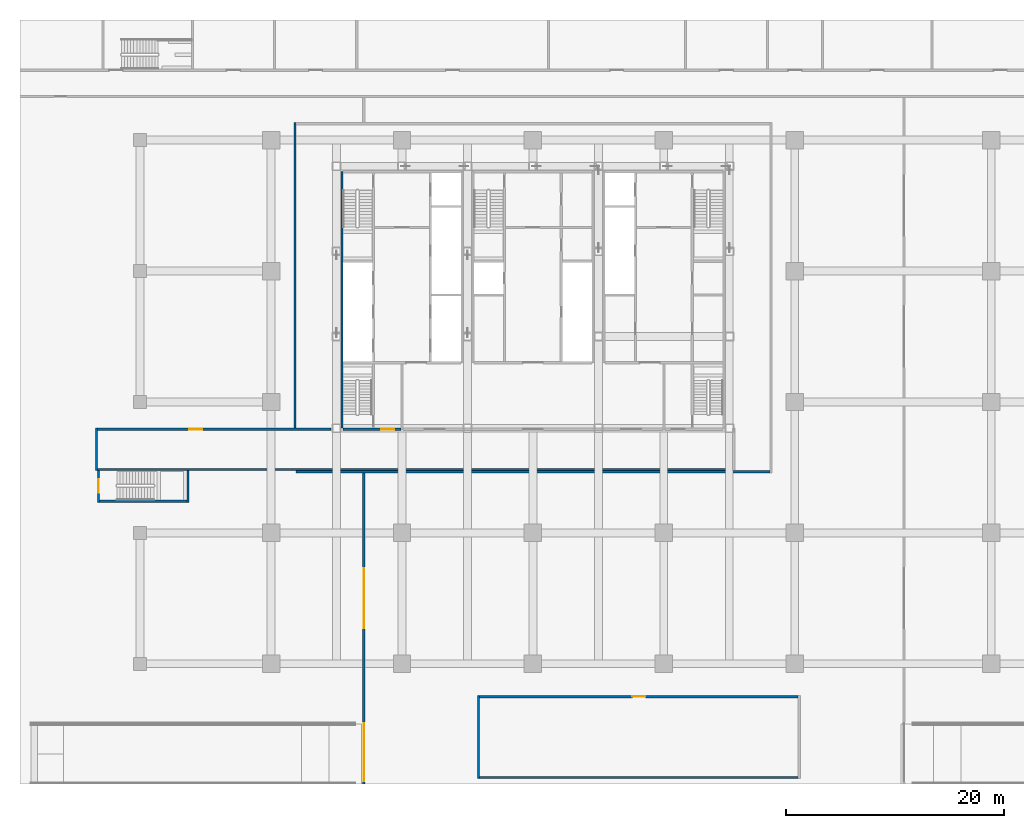
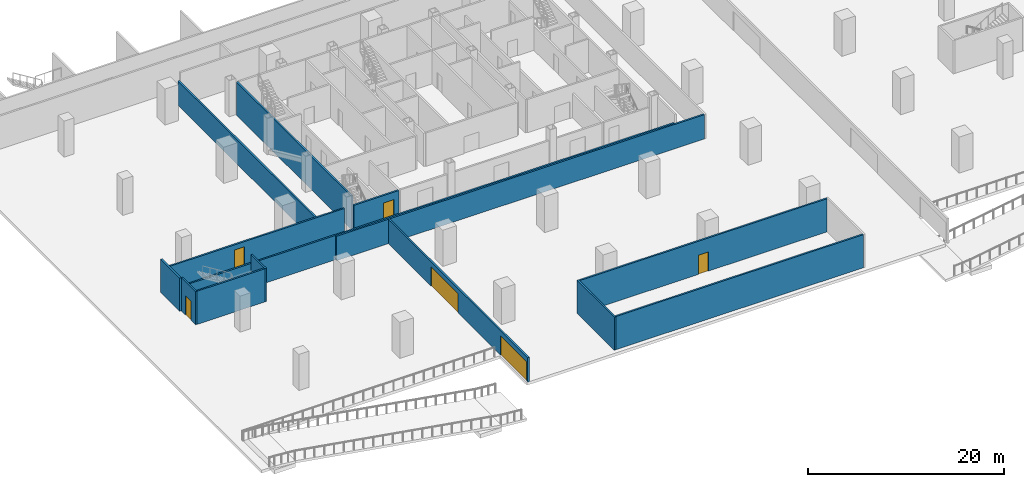
# One storey, part 3 of 15: 14 walls, 6 doors, 6 openings.
"""IFC4 building model written with IfcOpenShell, lengths in metres."""

from ifc_helpers import new_model, si_unit, direction, frame, frame_2d, origin, place, context, subcontext, project, spatial, rectangle, extrude, material, layer, layer_set, type_object, element, fill, save


model = new_model("IFC4")

# Units and contexts
model_context = context("Model", 3, precision=1e-05, world=origin(), true_north=direction((0.0, 1.0)))
body_context = subcontext(model_context, "Body", "Model", "MODEL_VIEW")
ifc_project = project(units=[si_unit("LENGTHUNIT", "METRE"), si_unit("AREAUNIT", "SQUARE_METRE"), si_unit("VOLUMEUNIT", "CUBIC_METRE"), si_unit("PLANEANGLEUNIT", "RADIAN"), si_unit("MASSUNIT", "GRAM", prefix="KILO")], contexts=[model_context])

# Site, building, storey
site_placement = place(None, origin())
site = spatial("IfcSite", under=ifc_project, at=site_placement, CompositionType="ELEMENT")
building_placement = place(site_placement, origin())
building = spatial("IfcBuilding", under=site, at=building_placement, Name="Sorahane Residences", CompositionType="ELEMENT")
storey_placement = place(building_placement, frame((0.0, 0.0, -4.5)))
storey = spatial("IfcBuildingStorey", under=building, at=storey_placement, Name="B1", CompositionType="ELEMENT", Elevation=-4.5)

# Walls
ifc_material_1 = material(Name="Concrete C30", Category="concrete")
ifc_layer_1 = layer(ifc_material_1, 0.199951171875)
ifc_layer_set_1 = layer_set([ifc_layer_1], Name="Core face wall 200 EI 180")
wall_type_1 = type_object("IfcWallType", Name="Core face wall 200 EI 180", PredefinedType="SOLIDWALL", material=ifc_layer_set_1)
wall_1_placement = place(storey_placement, frame((6.5, 21.60009765625, 0.0), z_axis=(0.0, 0.0, 1.0), x_axis=(0.0, 1.0, 0.0)))
element("IfcWall", 1, at=wall_1_placement, inside=storey, type_object=wall_type_1, Name="B1 core face wall", PredefinedType="SOLIDWALL", context=body_context, shape_type="SweptSolid", body=[
    extrude(rectangle(XDim=23.5, YDim=0.199951171875, at=frame_2d((11.75, 0.0))), origin(), (0.0, 0.0, 1.0), 4.139892578125),
])
ifc_material_2 = material(Name="Concrete blockwork C20 wall", Category="masonry")
ifc_layer_2 = layer(ifc_material_2, 0.199951171875)
ifc_layer_set_2 = layer_set([ifc_layer_2], Name="Fire wall 200 EI 120")
wall_type_2 = type_object("IfcWallType", Name="Fire wall 200 EI 120", PredefinedType="SOLIDWALL", material=ifc_layer_set_2)
wall_2_placement = place(storey_placement, frame((-16.0, 17.699951171875, 0.0), z_axis=(0.0, 0.0, 1.0), x_axis=(0.0, 1.0, 0.0)))
element("IfcWall", 2, at=wall_2_placement, inside=storey, type_object=wall_type_2, Name="B1 fire wall", PredefinedType="SOLIDWALL", context=body_context, shape_type="SweptSolid", body=[
    extrude(rectangle(XDim=3.900146484375, YDim=0.199951171875, at=frame_2d((1.9501953125, 0.0))), origin(), (0.0, 0.0, 1.0), 4.139892578125),
])

# Wall, opening, door
wall_3_placement = place(storey_placement, frame((-15.800048828125, 14.800048828125, 0.0), z_axis=(0.0, 0.0, 1.0), x_axis=(0.0, 1.0, 0.0)))
wall_3 = element("IfcWall", 3, at=wall_3_placement, inside=storey, type_object=wall_type_2, Name="B1 fire wall", PredefinedType="SOLIDWALL", context=body_context, shape_type="SweptSolid", body=[
    extrude(rectangle(XDim=2.89990234375, YDim=0.199951171875, at=frame_2d((1.449951171875, 0.0))), origin(), (0.0, 0.0, 1.0), 4.139892578125),
])
opening_1_placement = place(wall_3_placement, frame((0.89990234375, 0.0, 0.0)))
opening_1 = element("IfcOpeningElement", 4, at=opening_1_placement, cuts=wall_3, Name="Opening B1-11", PredefinedType="OPENING", context=body_context, shape_type="SweptSolid", body=[
    extrude(rectangle(XDim=1.199951171875, YDim=2.39990234375, at=frame_2d((0.60009765625, 1.199951171875))), frame((0.0, 0.10986328125, 0.0), z_axis=(0.0, -1.0, 0.0), x_axis=(1.0, 0.0, 0.0)), (0.0, 0.0, 1.0), 0.219970703125),
])
ifc_material_3 = material(Name="Steel", Category="steel")
door_type_1 = type_object("IfcDoorType", Name="Stair door 1200x2400 FD60", OperationType="NOTDEFINED", PredefinedType="DOOR", material=ifc_material_3)
door_1_placement = place(opening_1_placement, origin())
door_1 = element("IfcDoor", 5, at=door_1_placement, inside=storey, type_object=door_type_1, Name="Stair door B1-11", OperationType="SINGLE_SWING_LEFT", OverallHeight=2.39990234375, OverallWidth=1.199951171875, PredefinedType="DOOR", context=body_context, shape_type="SweptSolid", body=[
    extrude(rectangle(XDim=1.199951171875, YDim=2.39990234375, at=frame_2d((0.60009765625, 1.199951171875))), frame((0.0, 0.02490234375, 0.0), z_axis=(0.0, -1.0, 0.0), x_axis=(1.0, 0.0, 0.0)), (0.0, 0.0, 1.0), 0.050048828125),
])
fill(opening_1, door_1)

# Walls
wall_4_placement = place(storey_placement, frame((-7.60009765625, 14.800048828125, 0.0), z_axis=(0.0, 0.0, 1.0), x_axis=(0.0, 1.0, 0.0)))
element("IfcWall", 6, at=wall_4_placement, inside=storey, type_object=wall_type_2, Name="B1 fire wall", PredefinedType="SOLIDWALL", context=body_context, shape_type="SweptSolid", body=[
    extrude(rectangle(XDim=2.89990234375, YDim=0.199951171875, at=frame_2d((1.449951171875, 0.0))), origin(), (0.0, 0.0, 1.0), 4.139892578125),
])
wall_5_placement = place(storey_placement, frame((2.199951171875, 21.60009765625, 0.0), z_axis=(0.0, 0.0, 1.0), x_axis=(0.0, 1.0, 0.0)))
element("IfcWall", 7, at=wall_5_placement, inside=storey, type_object=wall_type_2, Name="B1 fire wall", PredefinedType="SOLIDWALL", context=body_context, shape_type="SweptSolid", body=[
    extrude(rectangle(XDim=28.0, YDim=0.199951171875, at=frame_2d((14.0, 0.0))), origin(), (0.0, 0.0, 1.0), 3.0400390625),
])

# Wall, openings, doors
wall_6_placement = place(storey_placement, frame((8.5, -11.0, 0.0), z_axis=(0.0, 0.0, 1.0), x_axis=(0.0, 1.0, 0.0)))
wall_6 = element("IfcWall", 8, at=wall_6_placement, inside=storey, type_object=wall_type_2, Name="B1 fire wall", PredefinedType="SOLIDWALL", context=body_context, shape_type="SweptSolid", body=[
    extrude(rectangle(XDim=28.5, YDim=0.199951171875, at=frame_2d((14.25, 0.0))), origin(), (0.0, 0.0, 1.0), 3.0400390625),
])
opening_2_placement = place(wall_6_placement, frame((0.25, 0.0, 0.0)))
opening_2 = element("IfcOpeningElement", 9, at=opening_2_placement, cuts=wall_6, Name="Opening B1-17", PredefinedType="OPENING", context=body_context, shape_type="SweptSolid", body=[
    extrude(rectangle(XDim=5.300048828125, YDim=2.39990234375, at=frame_2d((2.64990234375, 1.199951171875))), frame((0.0, 0.10986328125, 0.0), z_axis=(0.0, -1.0, 0.0), x_axis=(1.0, 0.0, 0.0)), (0.0, 0.0, 1.0), 0.219970703125),
])
opening_3_placement = place(wall_6_placement, frame((14.25, 0.0, 0.0)))
opening_3 = element("IfcOpeningElement", 10, at=opening_3_placement, cuts=wall_6, Name="Opening B1-18", PredefinedType="OPENING", context=body_context, shape_type="SweptSolid", body=[
    extrude(rectangle(XDim=5.5, YDim=2.39990234375, at=frame_2d((2.75, 1.199951171875))), frame((0.0, 0.10986328125, 0.0), z_axis=(0.0, -1.0, 0.0), x_axis=(1.0, 0.0, 0.0)), (0.0, 0.0, 1.0), 0.219970703125),
])
ifc_material_4 = material(Name="Steel", Category="steel")
door_type_2 = type_object("IfcDoorType", Name="Fire door 5300x2400 FD60", OperationType="NOTDEFINED", PredefinedType="DOOR", material=ifc_material_4)
door_2_placement = place(opening_2_placement, origin())
door_2 = element("IfcDoor", 11, at=door_2_placement, inside=storey, type_object=door_type_2, Name="Fire door B1-17", OperationType="SINGLE_SWING_LEFT", OverallHeight=2.39990234375, OverallWidth=5.300048828125, PredefinedType="DOOR", context=body_context, shape_type="SweptSolid", body=[
    extrude(rectangle(XDim=5.300048828125, YDim=2.39990234375, at=frame_2d((2.64990234375, 1.199951171875))), frame((0.0, 0.02490234375, 0.0), z_axis=(0.0, -1.0, 0.0), x_axis=(1.0, 0.0, 0.0)), (0.0, 0.0, 1.0), 0.050048828125),
])
fill(opening_2, door_2)
ifc_material_5 = material(Name="Steel", Category="steel")
door_type_3 = type_object("IfcDoorType", Name="Fire door 5500x2400 FD60", OperationType="NOTDEFINED", PredefinedType="DOOR", material=ifc_material_5)
door_3_placement = place(opening_3_placement, origin())
door_3 = element("IfcDoor", 12, at=door_3_placement, inside=storey, type_object=door_type_3, Name="Fire door B1-18", OperationType="SINGLE_SWING_RIGHT", OverallHeight=2.39990234375, OverallWidth=5.5, PredefinedType="DOOR", context=body_context, shape_type="SweptSolid", body=[
    extrude(rectangle(XDim=5.5, YDim=2.39990234375, at=frame_2d((2.75, 1.199951171875))), frame((0.0, 0.02490234375, 0.0), z_axis=(0.0, -1.0, 0.0), x_axis=(1.0, 0.0, 0.0)), (0.0, 0.0, 1.0), 0.050048828125),
])
fill(opening_3, door_3)

# Wall
wall_7_placement = place(storey_placement, frame((2.300048828125, 17.60009765625, 0.0), z_axis=(0.0, 0.0, 1.0), x_axis=(1.0, 0.0, 0.0)))
element("IfcWall", 13, at=wall_7_placement, inside=storey, type_object=wall_type_2, Name="B1 fire wall", PredefinedType="SOLIDWALL", context=body_context, shape_type="SweptSolid", body=[
    extrude(rectangle(XDim=43.39990234375, YDim=0.199951171875, at=frame_2d((21.699951171875, 0.0))), origin(), (0.0, 0.0, 1.0), 3.0400390625),
])

# Wall, opening, door
wall_8_placement = place(storey_placement, frame((-15.89990234375, 21.5, 0.0), z_axis=(0.0, 0.0, 1.0), x_axis=(1.0, 0.0, 0.0)))
wall_8 = element("IfcWall", 14, at=wall_8_placement, inside=storey, type_object=wall_type_2, Name="B1 fire wall", PredefinedType="SOLIDWALL", context=body_context, shape_type="SweptSolid", body=[
    extrude(rectangle(XDim=21.39990234375, YDim=0.199951171875, at=frame_2d((10.699951171875, 0.0))), origin(), (0.0, 0.0, 1.0), 3.0400390625),
])
opening_4_placement = place(wall_8_placement, frame((8.39990234375, 0.0, 0.0)))
opening_4 = element("IfcOpeningElement", 15, at=opening_4_placement, cuts=wall_8, Name="Opening B1-13", PredefinedType="OPENING", context=body_context, shape_type="SweptSolid", body=[
    extrude(rectangle(XDim=1.199951171875, YDim=2.39990234375, at=frame_2d((0.60009765625, 1.199951171875))), frame((0.0, 0.10986328125, 0.0), z_axis=(0.0, -1.0, 0.0), x_axis=(1.0, 0.0, 0.0)), (0.0, 0.0, 1.0), 0.219970703125),
])
ifc_material_6 = material(Name="Steel", Category="steel")
door_type_4 = type_object("IfcDoorType", Name="Fire door 1200x2400 FD60", OperationType="NOTDEFINED", PredefinedType="DOOR", material=ifc_material_6)
door_4_placement = place(opening_4_placement, origin())
door_4 = element("IfcDoor", 16, at=door_4_placement, inside=storey, type_object=door_type_4, Name="Fire door B1-13", OperationType="SINGLE_SWING_LEFT", OverallHeight=2.39990234375, OverallWidth=1.199951171875, PredefinedType="DOOR", context=body_context, shape_type="SweptSolid", body=[
    extrude(rectangle(XDim=1.199951171875, YDim=2.39990234375, at=frame_2d((0.60009765625, 1.199951171875))), frame((0.0, 0.02490234375, 0.0), z_axis=(0.0, -1.0, 0.0), x_axis=(1.0, 0.0, 0.0)), (0.0, 0.0, 1.0), 0.050048828125),
])
fill(opening_4, door_4)

# Walls
ifc_material_7 = material(Name="Concrete blockwork C20 wall", Category="masonry")
ifc_layer_3 = layer(ifc_material_7, 0.199951171875)
ifc_layer_set_3 = layer_set([ifc_layer_3], Name="Plant wall 200 EI 120")
wall_type_3 = type_object("IfcWallType", Name="Plant wall 200 EI 120", PredefinedType="SOLIDWALL", material=ifc_layer_set_3)
wall_9_placement = place(storey_placement, frame((19.0, -10.5, 0.0), z_axis=(0.0, 0.0, 1.0), x_axis=(0.0, 1.0, 0.0)))
element("IfcWall", 17, at=wall_9_placement, inside=storey, type_object=wall_type_3, Name="B1 plant wall", PredefinedType="SOLIDWALL", context=body_context, shape_type="SweptSolid", body=[
    extrude(rectangle(XDim=7.60009765625, YDim=0.199951171875, at=frame_2d((3.800048828125, 0.0))), origin(), (0.0, 0.0, 1.0), 4.139892578125),
])
wall_10_placement = place(storey_placement, frame((19.10009765625, -10.39990234375, 0.0), z_axis=(0.0, 0.0, 1.0), x_axis=(1.0, 0.0, 0.0)))
element("IfcWall", 18, at=wall_10_placement, inside=storey, type_object=wall_type_3, Name="B1 plant wall", PredefinedType="SOLIDWALL", context=body_context, shape_type="SweptSolid", body=[
    extrude(rectangle(XDim=29.199951171875, YDim=0.199951171875, at=frame_2d((14.60009765625, 0.0))), origin(), (0.0, 0.0, 1.0), 4.139892578125),
])

# Wall, opening, door
wall_11_placement = place(storey_placement, frame((19.10009765625, -3.0, 0.0), z_axis=(0.0, 0.0, 1.0), x_axis=(1.0, 0.0, 0.0)))
wall_11 = element("IfcWall", 19, at=wall_11_placement, inside=storey, type_object=wall_type_3, Name="B1 plant wall", PredefinedType="SOLIDWALL", context=body_context, shape_type="SweptSolid", body=[
    extrude(rectangle(XDim=29.199951171875, YDim=0.199951171875, at=frame_2d((14.60009765625, 0.0))), origin(), (0.0, 0.0, 1.0), 4.139892578125),
])
opening_5_placement = place(wall_11_placement, frame((14.0, 0.0, 0.0)))
opening_5 = element("IfcOpeningElement", 20, at=opening_5_placement, cuts=wall_11, Name="Opening B1-16", PredefinedType="OPENING", context=body_context, shape_type="SweptSolid", body=[
    extrude(rectangle(XDim=1.199951171875, YDim=2.39990234375, at=frame_2d((0.60009765625, 1.199951171875))), frame((0.0, 0.10986328125, 0.0), z_axis=(0.0, -1.0, 0.0), x_axis=(1.0, 0.0, 0.0)), (0.0, 0.0, 1.0), 0.219970703125),
])
ifc_material_8 = material(Name="Steel", Category="steel")
door_type_5 = type_object("IfcDoorType", Name="Plant door 1200x2400 FD60", OperationType="NOTDEFINED", PredefinedType="DOOR", material=ifc_material_8)
door_5_placement = place(opening_5_placement, frame((1.199951171875, 0.0, 0.0), z_axis=(0.0, 0.0, 1.0), x_axis=(-1.0, 0.0, 0.0)))
door_5 = element("IfcDoor", 21, at=door_5_placement, inside=storey, type_object=door_type_5, Name="Plant door B1-16", OperationType="SINGLE_SWING_LEFT", OverallHeight=2.39990234375, OverallWidth=1.199951171875, PredefinedType="DOOR", context=body_context, shape_type="SweptSolid", body=[
    extrude(rectangle(XDim=1.199951171875, YDim=2.39990234375, at=frame_2d((0.60009765625, 1.199951171875))), frame((0.0, 0.02490234375, 0.0), z_axis=(0.0, -1.0, 0.0), x_axis=(1.0, 0.0, 0.0)), (0.0, 0.0, 1.0), 0.050048828125),
])
fill(opening_5, door_5)

# Walls
ifc_material_9 = material(Name="Concrete C30", Category="concrete")
ifc_layer_4 = layer(ifc_material_9, 0.199951171875)
ifc_layer_set_4 = layer_set([ifc_layer_4], Name="Stair enclosure wall 200 EI 120")
wall_type_4 = type_object("IfcWallType", Name="Stair enclosure wall 200 EI 120", PredefinedType="SOLIDWALL", material=ifc_layer_set_4)
wall_12_placement = place(storey_placement, frame((-15.699951171875, 14.89990234375, 0.0), z_axis=(0.0, 0.0, 1.0), x_axis=(1.0, 0.0, 0.0)))
element("IfcWall", 22, at=wall_12_placement, inside=storey, type_object=wall_type_4, Name="B1 fire wall", PredefinedType="SOLIDWALL", context=body_context, shape_type="SweptSolid", body=[
    extrude(rectangle(XDim=8.0, YDim=0.199951171875, at=frame_2d((4.0, 0.0))), origin(), (0.0, 0.0, 1.0), 4.139892578125),
])
wall_13_placement = place(storey_placement, frame((-15.89990234375, 17.800048828125, 0.0), z_axis=(0.0, 0.0, 1.0), x_axis=(1.0, 0.0, 0.0)))
element("IfcWall", 23, at=wall_13_placement, inside=storey, type_object=wall_type_4, Name="B1 fire wall", PredefinedType="SOLIDWALL", context=body_context, shape_type="SweptSolid", body=[
    extrude(rectangle(XDim=58.199951171875, YDim=0.199951171875, at=frame_2d((29.10009765625, 0.0))), origin(), (0.0, 0.0, 1.0), 3.0400390625),
])

# Wall, opening, door
wall_14_placement = place(storey_placement, frame((6.60009765625, 21.5, 0.0), z_axis=(0.0, 0.0, 1.0), x_axis=(1.0, 0.0, 0.0)))
wall_14 = element("IfcWall", 24, at=wall_14_placement, inside=storey, type_object=wall_type_4, Name="B1 stair enclosure wall", PredefinedType="SOLIDWALL", context=body_context, shape_type="SweptSolid", body=[
    extrude(rectangle(XDim=5.2998046875, YDim=0.199951171875, at=frame_2d((2.64990234375, 0.0))), origin(), (0.0, 0.0, 1.0), 3.0400390625),
])
opening_6_placement = place(wall_14_placement, frame((3.5, 0.0, 0.0)))
opening_6 = element("IfcOpeningElement", 25, at=opening_6_placement, cuts=wall_14, Name="Opening B1-C04", PredefinedType="OPENING", context=body_context, shape_type="SweptSolid", body=[
    extrude(rectangle(XDim=1.199951171875, YDim=2.10009765625, at=frame_2d((0.60009765625, 1.050048828125))), frame((0.0, 0.10986328125, 0.0), z_axis=(0.0, -1.0, 0.0), x_axis=(1.0, 0.0, 0.0)), (0.0, 0.0, 1.0), 0.219970703125),
])
ifc_material_10 = material(Name="Steel", Category="steel")
door_type_6 = type_object("IfcDoorType", Name="Stair front room door 1200x2100 FD120", OperationType="NOTDEFINED", PredefinedType="DOOR", material=ifc_material_10)
door_6_placement = place(opening_6_placement, frame((1.199951171875, 0.0, 0.0), z_axis=(0.0, 0.0, 1.0), x_axis=(-1.0, 0.0, 0.0)))
door_6 = element("IfcDoor", 26, at=door_6_placement, inside=storey, type_object=door_type_6, Name="Stair front room door Stair S4 front room B1", OperationType="SINGLE_SWING_RIGHT", OverallHeight=2.10009765625, OverallWidth=1.199951171875, PredefinedType="DOOR", context=body_context, shape_type="SweptSolid", body=[
    extrude(rectangle(XDim=1.199951171875, YDim=2.10009765625, at=frame_2d((0.60009765625, 1.050048828125))), frame((0.0, 0.02490234375, 0.0), z_axis=(0.0, -1.0, 0.0), x_axis=(1.0, 0.0, 0.0)), (0.0, 0.0, 1.0), 0.050048828125),
])
fill(opening_6, door_6)

save(model, "model.ifc")
